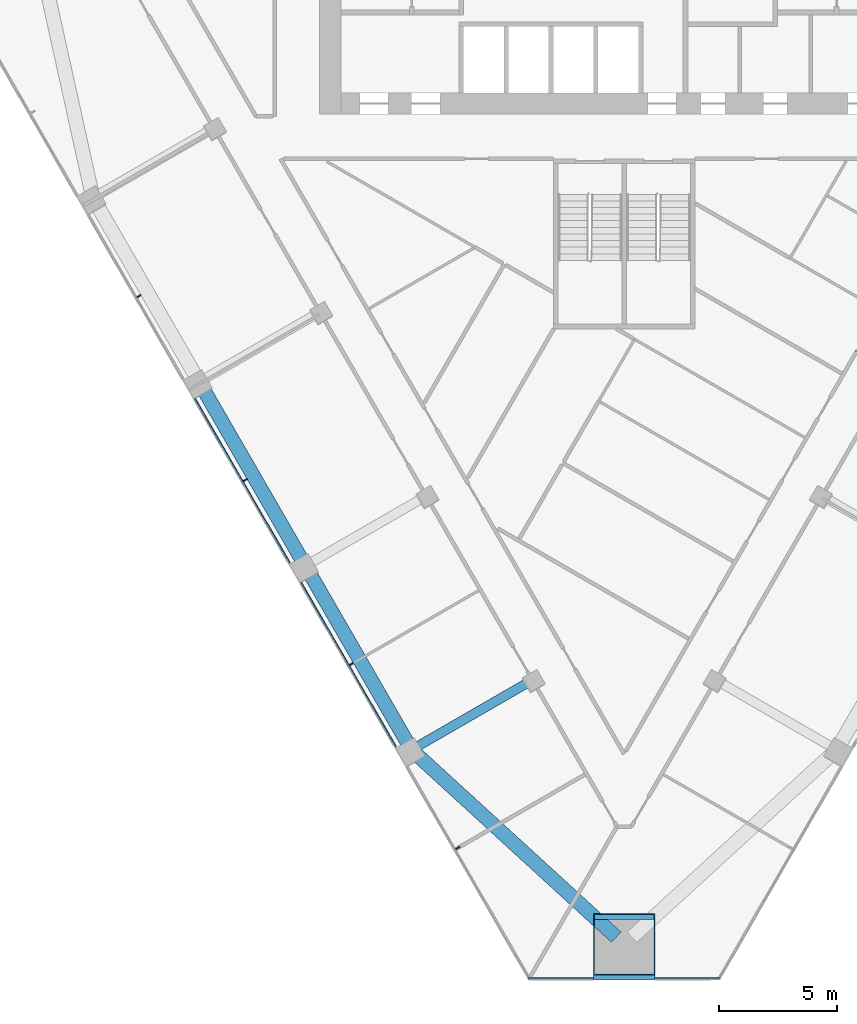
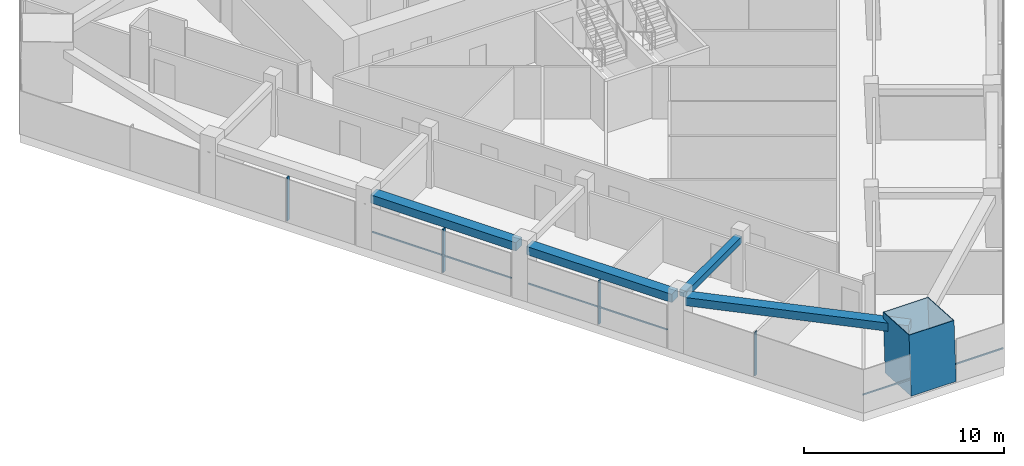
# One storey, part 2 of 14: 9 members, 4 beams, 2 elements without a shape of their own.
"""IFC4 building model written with IfcOpenShell, lengths in metres."""

from ifc_helpers import new_model, si_unit, direction, frame, origin, origin_2d, place, context, subcontext, project, spatial, rectangle, hollow_rectangle, extrude, material, layer, layer_set, material_profile, profile_set, type_object, element, aggregate, save


model = new_model("IFC4")

# Units and contexts
model_context = context("Model", 3, precision=1e-05, world=origin(), true_north=direction((0.0, 1.0)))
body_context = subcontext(model_context, "Body", "Model", "MODEL_VIEW")
ifc_project = project(units=[si_unit("LENGTHUNIT", "METRE"), si_unit("AREAUNIT", "SQUARE_METRE"), si_unit("VOLUMEUNIT", "CUBIC_METRE"), si_unit("PLANEANGLEUNIT", "RADIAN"), si_unit("MASSUNIT", "GRAM", prefix="KILO")], contexts=[model_context])

# Site, building, storey
site_placement = place(None, origin())
site = spatial("IfcSite", under=ifc_project, at=site_placement, CompositionType="ELEMENT")
building_placement = place(site_placement, origin())
building = spatial("IfcBuilding", under=site, at=building_placement, Name="Altiplano Prism Tower", CompositionType="ELEMENT")
storey_placement = place(building_placement, frame((0.0, 0.0, 115.199951171875)))
storey = spatial("IfcBuildingStorey", under=building, at=storey_placement, Name="L29", CompositionType="ELEMENT", Elevation=115.199951171875)

# Curtain wall, members
ifc_material_1 = material(Name="Aluminium and glass", Category="aluminium")
ifc_layer = layer(ifc_material_1, 0.303955078125)
ifc_layer_set = layer_set([ifc_layer], Name="Aluminium and glass")
curtain_wall_type = type_object("IfcCurtainWallType", Name="CW2 lounge-band unitised glazing", PredefinedType="NOTDEFINED", material=ifc_layer_set)
curtain_wall_1_placement = place(storey_placement, origin())
curtain_wall_1 = element("IfcCurtainWall", 1, at=curtain_wall_1_placement, inside=storey, type_object=curtain_wall_type, Name="CW2 curtain wall south-west face L29", PredefinedType="NOTDEFINED")
ifc_material_2 = material(Name="Aluminium", Category="aluminium")
ifc_material_profile_1 = material_profile(ifc_material_2, rectangle(XDim=0.199951171875, YDim=0.06005859375, at=origin_2d()), Name="CW2 mullion 60 x 200")
ifc_profile_set_1 = profile_set([ifc_material_profile_1], Name="Aluminium")
member_type_1 = type_object("IfcMemberType", Name="CW2 mullion 60 x 200", PredefinedType="MULLION", material=ifc_profile_set_1)
member_1_placement = place(storey_placement, frame((64.449951171875, 84.79052734375, 0.0), z_axis=(0.0, 0.0, 1.0), x_axis=(0.866025407711, 0.499999993198, 0.0)))
member_1 = element("IfcMember", 2, at=member_1_placement, type_object=member_type_1, Name="CW2 mullion", PredefinedType="MULLION", context=body_context, shape_type="SweptSolid", body=[
    extrude(rectangle(XDim=0.199951171875, YDim=0.06005859375, at=origin_2d()), origin(), (0.0, 0.0, 1.0), 2.650146484375),
])
member_2_placement = place(storey_placement, frame((68.949951171875, 76.996337890625, 0.0), z_axis=(0.0, 0.0, 1.0), x_axis=(0.866025407711, 0.499999993198, 0.0)))
member_2 = element("IfcMember", 3, at=member_2_placement, type_object=member_type_1, Name="CW2 mullion", PredefinedType="MULLION", context=body_context, shape_type="SweptSolid", body=[
    extrude(rectangle(XDim=0.199951171875, YDim=0.06005859375, at=origin_2d()), origin(), (0.0, 0.0, 1.0), 2.650146484375),
])
member_3_placement = place(storey_placement, frame((73.449951171875, 69.2021484375, 0.0), z_axis=(0.0, 0.0, 1.0), x_axis=(0.866025407711, 0.499999993198, 0.0)))
member_3 = element("IfcMember", 4, at=member_3_placement, type_object=member_type_1, Name="CW2 mullion", PredefinedType="MULLION", context=body_context, shape_type="SweptSolid", body=[
    extrude(rectangle(XDim=0.199951171875, YDim=0.06005859375, at=origin_2d()), origin(), (0.0, 0.0, 1.0), 2.650146484375),
])
member_4_placement = place(storey_placement, frame((77.949951171875, 61.407958984375, 0.0), z_axis=(0.0, 0.0, 1.0), x_axis=(0.866025407711, 0.499999993198, 0.0)))
member_4 = element("IfcMember", 5, at=member_4_placement, type_object=member_type_1, Name="CW2 mullion", PredefinedType="MULLION", context=body_context, shape_type="SweptSolid", body=[
    extrude(rectangle(XDim=0.199951171875, YDim=0.06005859375, at=origin_2d()), origin(), (0.0, 0.0, 1.0), 2.650146484375),
])
ifc_material_profile_2 = material_profile(ifc_material_2, rectangle(XDim=0.06005859375, YDim=0.080078125, at=origin_2d()), Name="CW2 transom 80 x 60")
ifc_profile_set_2 = profile_set([ifc_material_profile_2], Name="Aluminium")
member_type_2 = type_object("IfcMemberType", Name="CW2 transom 80 x 60", PredefinedType="USERDEFINED", material=ifc_profile_set_2)
member_5_placement = place(storey_placement, frame((66.812744140625, 80.438232421875, 1.10009765625), z_axis=(0.499976305243, -0.866039083527, 0.0), x_axis=(0.866039083527, 0.499976305243, 0.0)))
member_5 = element("IfcMember", 6, at=member_5_placement, type_object=member_type_2, Name="CW2 transom", ObjectType="TRANSOM", PredefinedType="USERDEFINED", context=body_context, shape_type="SweptSolid", body=[
    extrude(rectangle(XDim=0.06005859375, YDim=0.080078125, at=origin_2d()), origin(), (0.0, 0.0, 1.0), 8.02001953125),
])
member_6_placement = place(storey_placement, frame((71.312744140625, 72.64404296875, 1.10009765625), z_axis=(0.499976305243, -0.866039083527, 0.0), x_axis=(0.866039083527, 0.499976305243, 0.0)))
member_6 = element("IfcMember", 7, at=member_6_placement, type_object=member_type_2, Name="CW2 transom", ObjectType="TRANSOM", PredefinedType="USERDEFINED", context=body_context, shape_type="SweptSolid", body=[
    extrude(rectangle(XDim=0.06005859375, YDim=0.080078125, at=origin_2d()), origin(), (0.0, 0.0, 1.0), 8.02001953125),
])
aggregate(curtain_wall_1, [member_1, member_2, member_5, member_3, member_6, member_4])

curtain_wall_2_placement = place(storey_placement, origin())
curtain_wall_2 = element("IfcCurtainWall", 8, at=curtain_wall_2_placement, inside=storey, type_object=curtain_wall_type, Name="CW2 curtain wall south chamfer L29", PredefinedType="NOTDEFINED")
member_7_placement = place(storey_placement, frame((80.94287109375, 55.889892578125, 1.10009765625), z_axis=(1.0, 0.0, 0.0), x_axis=(0.0, 1.0, 0.0)))
member_7 = element("IfcMember", 9, at=member_7_placement, type_object=member_type_2, Name="CW2 transom", ObjectType="TRANSOM", PredefinedType="USERDEFINED", context=body_context, shape_type="SweptSolid", body=[
    extrude(rectangle(XDim=0.06005859375, YDim=0.080078125, at=origin_2d()), origin(), (0.0, 0.0, 1.0), 2.757080078125),
])
member_8_placement = place(storey_placement, frame((86.300048828125, 55.889892578125, 1.10009765625), z_axis=(1.0, 0.0, 0.0), x_axis=(0.0, 1.0, 0.0)))
member_8 = element("IfcMember", 10, at=member_8_placement, type_object=member_type_2, Name="CW2 transom", ObjectType="TRANSOM", PredefinedType="USERDEFINED", context=body_context, shape_type="SweptSolid", body=[
    extrude(rectangle(XDim=0.06005859375, YDim=0.080078125, at=origin_2d()), origin(), (0.0, 0.0, 1.0), 2.757080078125),
])
aggregate(curtain_wall_2, [member_7, member_8])

# Beams
ifc_material_3 = material(Name="Concrete C60/75", Category="concrete")
ifc_material_profile_3 = material_profile(ifc_material_3, rectangle(XDim=0.60009765625, YDim=0.5, at=origin_2d()), Name="Edge beam 600x500")
ifc_profile_set_3 = profile_set([ifc_material_profile_3], Name="Concrete C60/75")
beam_type_1 = type_object("IfcBeamType", Name="Edge beam 600x500", PredefinedType="SPANDREL", material=ifc_profile_set_3)
for number, where, z_axis, x_axis, name in (
    (11, (67.1455078125, 80.890869140625, 2.900146484375), (0.499988621418, -0.866031973112, 0.0), (0.866031973112, 0.499988621418, 0.0), "Edge beam P12-P13 L30"),
    (12, (71.6455078125, 73.0966796875, 2.900146484375), (0.499988621418, -0.866031973112, 0.0), (0.866031973112, 0.499988621418, 0.0), "Edge beam P13-P14 L30"),
):
    element("IfcBeam", number, at=place(storey_placement, frame(where, z_axis=z_axis, x_axis=x_axis)), inside=storey, type_object=beam_type_1, Name=name, PredefinedType="SPANDREL", context=body_context, shape_type="SweptSolid", body=[
        extrude(rectangle(XDim=0.60009765625, YDim=0.5, at=origin_2d()), origin(), (0.0, 0.0, 1.0), 8.389892578125),
    ])
beam_1_placement = place(storey_placement, frame((76.233154296875, 65.3466796875, 2.900146484375), z_axis=(0.737823062716, -0.674994168956, 0.0), x_axis=(0.674994168956, 0.737823062716, 0.0)))
element("IfcBeam", 13, at=beam_1_placement, inside=storey, type_object=beam_type_1, Name="Edge beam P14-M1 L30", PredefinedType="SPANDREL", context=body_context, shape_type="SweptSolid", body=[
    extrude(rectangle(XDim=0.60009765625, YDim=0.5, at=origin_2d()), origin(), (0.0, 0.0, 1.0), 11.43212890625),
])

# Member
ifc_material_4 = material(Name="Steel S460", Category="steel")
ifc_material_profile_4 = material_profile(ifc_material_4, hollow_rectangle(XDim=2.60009765625, YDim=2.60009765625, WallThickness=0.0400390625, at=origin_2d()), Name="Mega column tube 2600")
ifc_profile_set_4 = profile_set([ifc_material_profile_4], Name="Steel S460")
member_type_3 = type_object("IfcMemberType", Name="Mega column tube 2600", PredefinedType="POST", material=ifc_profile_set_4)
member_9_placement = place(storey_placement, frame((85.0, 57.115966796875, 0.0), z_axis=(0.0, 0.058356907999, 0.998295783467), x_axis=(-1.0, 0.0, 0.0)))
element("IfcMember", 14, at=member_9_placement, inside=storey, type_object=member_type_3, Name="Mega column tube M1 L29", PredefinedType="POST", context=body_context, shape_type="SweptSolid", body=[
    extrude(hollow_rectangle(XDim=2.60009765625, YDim=2.60009765625, WallThickness=0.0400390625, at=origin_2d()), origin(), (0.0, 0.0, 1.0), 3.606201171875),
])

# Beam
ifc_material_profile_5 = material_profile(ifc_material_3, rectangle(XDim=0.39990234375, YDim=0.39990234375, at=origin_2d()), Name="Tie beam 400x400")
ifc_profile_set_5 = profile_set([ifc_material_profile_5], Name="Concrete C60/75")
beam_type_2 = type_object("IfcBeamType", Name="Tie beam 400x400", PredefinedType="BEAM", material=ifc_profile_set_5)
beam_2_placement = place(storey_placement, frame((81.054931640625, 68.489013671875, 2.949951171875), z_axis=(-0.866027073272, -0.499997108352, 0.0), x_axis=(0.499997108352, -0.866027073272, 0.0)))
element("IfcBeam", 15, at=beam_2_placement, inside=storey, type_object=beam_type_2, Name="Tie beam I14 L30", PredefinedType="BEAM", context=body_context, shape_type="SweptSolid", body=[
    extrude(rectangle(XDim=0.39990234375, YDim=0.39990234375, at=origin_2d()), origin(), (0.0, 0.0, 1.0), 5.5400390625),
])

save(model, "model.ifc")
